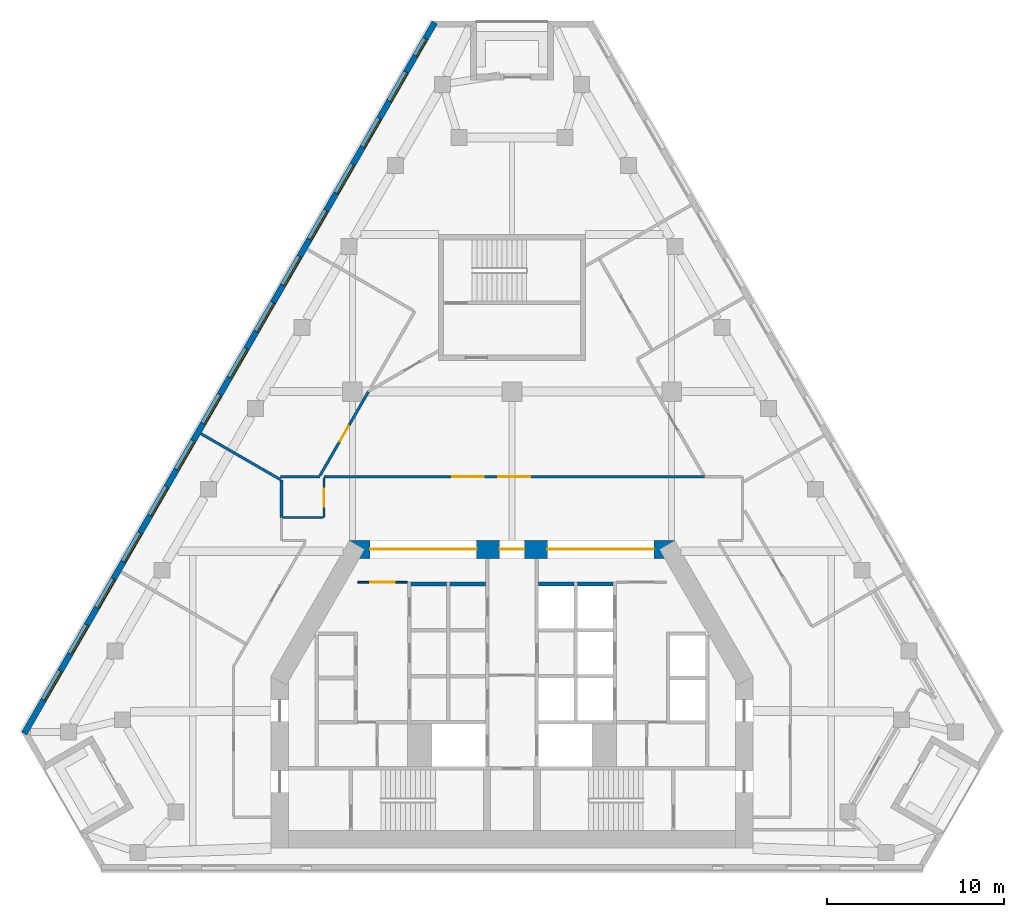
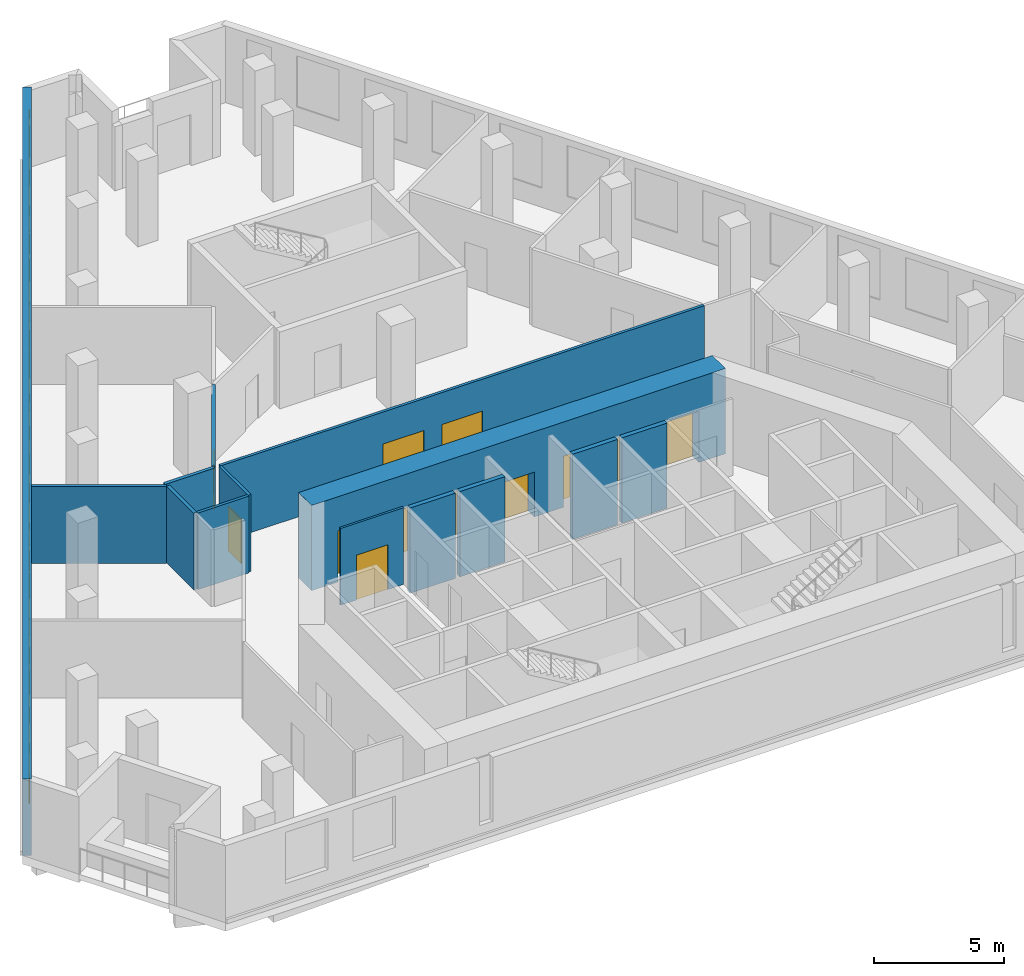
# One storey, part 5 of 9: 15 windows, 14 walls, 8 doors, 23 openings.
"""IFC4 building model written with IfcOpenShell, lengths in metres."""

from ifc_helpers import new_model, si_unit, direction, frame, frame_2d, origin, place, context, subcontext, project, spatial, rectangle, extrude, material, layer, layer_set, type_object, element, fill, save


model = new_model("IFC4")

# Units and contexts
model_context = context("Model", 3, precision=1e-05, world=origin(), true_north=direction((0.0, 1.0)))
body_context = subcontext(model_context, "Body", "Model", "MODEL_VIEW")
ifc_project = project(units=[si_unit("LENGTHUNIT", "METRE"), si_unit("AREAUNIT", "SQUARE_METRE"), si_unit("VOLUMEUNIT", "CUBIC_METRE"), si_unit("PLANEANGLEUNIT", "RADIAN"), si_unit("MASSUNIT", "GRAM", prefix="KILO")], contexts=[model_context])

# Site, building, storey
site_placement = place(None, origin())
site = spatial("IfcSite", under=ifc_project, at=site_placement, CompositionType="ELEMENT")
building_placement = place(site_placement, origin())
building = spatial("IfcBuilding", under=site, at=building_placement, Name="Fogline Exchange Tower", CompositionType="ELEMENT")
storey_placement = place(building_placement, frame((0.0, 0.0, 194.10009765625)))
storey = spatial("IfcBuildingStorey", under=building, at=storey_placement, Name="L43", CompositionType="ELEMENT", Elevation=194.10009765625)

# Wall, opening, door
ifc_material_1 = material(Name="Blockwork partition", Category="masonry")
ifc_layer_1 = layer(ifc_material_1, 0.10009765625)
ifc_layer_set_1 = layer_set([ifc_layer_1], Name="CW10")
wall_type_1 = type_object("IfcWallType", Name="CW10", PredefinedType="PARTITIONING", material=ifc_layer_set_1)
wall_1_placement = place(storey_placement, frame((-8.699951171875, 16.25, 0.0), z_axis=(0.0, 0.0, 1.0), x_axis=(1.0, 0.0, 0.0)))
wall_1 = element("IfcWall", 1, at=wall_1_placement, inside=storey, type_object=wall_type_1, Name="Lift lobby partition", PredefinedType="PARTITIONING", context=body_context, shape_type="SweptSolid", body=[
    extrude(rectangle(XDim=2.800048828125, YDim=0.10009765625, at=frame_2d((1.39990234375, 0.0))), origin(), (0.0, 0.0, 1.0), 3.599853515625),
])
opening_1_placement = place(wall_1_placement, frame((0.699951171875, 0.0, 0.0)))
opening_1 = element("IfcOpeningElement", 2, at=opening_1_placement, cuts=wall_1, Name="Opening T14-C011", PredefinedType="OPENING", context=body_context, shape_type="SweptSolid", body=[
    extrude(rectangle(XDim=1.39990234375, YDim=2.10009765625, at=frame_2d((0.699951171875, 1.050048828125))), frame((0.0, 0.06005859375, 0.0), z_axis=(0.0, -1.0, 0.0), x_axis=(1.0, 0.0, 0.0)), (0.0, 0.0, 1.0), 0.1201171875),
])
ifc_material_2 = material(Name="Steel and timber fire door", Category="steel")
door_type_1 = type_object("IfcDoorType", Name="D-LB1", OperationType="DOUBLE_DOOR_SINGLE_SWING", PredefinedType="DOOR", material=ifc_material_2)
door_1_placement = place(opening_1_placement, origin())
door_1 = element("IfcDoor", 3, at=door_1_placement, inside=storey, type_object=door_type_1, Name="Door to lift lobby", OperationType="DOUBLE_DOOR_SINGLE_SWING", OverallHeight=2.10009765625, OverallWidth=1.39990234375, PredefinedType="DOOR", context=body_context, shape_type="SweptSolid", body=[
    extrude(rectangle(XDim=1.39990234375, YDim=2.10009765625, at=frame_2d((0.699951171875, 1.050048828125))), frame((0.0, 0.02490234375, 0.0), z_axis=(0.0, -1.0, 0.0), x_axis=(1.0, 0.0, 0.0)), (0.0, 0.0, 1.0), 0.050048828125),
])
fill(opening_1, door_1)

# Walls
ifc_material_3 = material(Name="Concrete C40", Category="concrete")
ifc_layer_2 = layer(ifc_material_3, 0.199951171875)
ifc_layer_set_2 = layer_set([ifc_layer_2], Name="CW20S")
wall_type_2 = type_object("IfcWallType", Name="CW20S", PredefinedType="SOLIDWALL", material=ifc_layer_set_2)
for number, where, z_axis, x_axis, name in (
    (4, (-5.699951171875, 16.14990234375, -0.400146484375), (0.0, 0.0, 1.0), (1.0, 0.0, 0.0), "Lift shaft wall"),
    (5, (-3.5, 16.14990234375, -0.400146484375), (0.0, 0.0, 1.0), (1.0, 0.0, 0.0), "Lift shaft wall"),
    (6, (3.699951171875, 16.14990234375, -0.400146484375), (0.0, 0.0, 1.0), (1.0, 0.0, 0.0), "Lift shaft wall"),
    (7, (1.5, 16.14990234375, -0.400146484375), (0.0, 0.0, 1.0), (1.0, 0.0, 0.0), "Lift shaft wall"),
):
    element("IfcWall", number, at=place(storey_placement, frame(where, z_axis=z_axis, x_axis=x_axis)), inside=storey, type_object=wall_type_2, Name=name, PredefinedType="SOLIDWALL", context=body_context, shape_type="SweptSolid", body=[
        extrude(rectangle(XDim=2.0, YDim=0.199951171875, at=frame_2d((1.0, 0.0))), origin(), (0.0, 0.0, 1.0), 4.0),
    ])

# Wall, openings, windows
ifc_material_4 = material(Name="Brick masonry", Category="masonry")
ifc_layer_3 = layer(ifc_material_4, 0.340087890625)
ifc_layer_set_3 = layer_set([ifc_layer_3], Name="FW1")
wall_type_3 = type_object("IfcWallType", Name="FW1", PredefinedType="SOLIDWALL", material=ifc_layer_set_3)
wall_2_placement = place(storey_placement, frame((-4.352783203125, 47.821533203125, 0.0), z_axis=(0.0, 0.0, 1.0), x_axis=(-0.500001386688, -0.866024603178, 0.0)))
wall_2 = element("IfcWall", 8, at=wall_2_placement, inside=storey, type_object=wall_type_3, Name="Brick wall L43 W", PredefinedType="SOLIDWALL", context=body_context, shape_type="SweptSolid", body=[
    extrude(rectangle(XDim=46.317626953125, YDim=0.340087890625, at=frame_2d((23.15869140625, 0.0))), origin(), (0.0, 0.0, 1.0), 3.599853515625),
])
opening_2_placement = place(wall_2_placement, frame((3.23828125, 0.0, 0.89990234375)))
opening_2 = element("IfcOpeningElement", 9, at=opening_2_placement, cuts=wall_2, Name="Opening W1", PredefinedType="OPENING", context=body_context, shape_type="SweptSolid", body=[
    extrude(rectangle(XDim=1.885009765625, YDim=2.39990234375, at=frame_2d((0.9423828125, 1.199951171875))), frame((0.0, 0.18017578125, 0.0), z_axis=(0.0, -1.0, 0.0), x_axis=(1.0, 0.0, 0.0)), (0.0, 0.0, 1.0), 0.360107421875),
])
opening_3_placement = place(wall_2_placement, frame((6.23828125, 0.0, 0.89990234375)))
opening_3 = element("IfcOpeningElement", 10, at=opening_3_placement, cuts=wall_2, Name="Opening W1", PredefinedType="OPENING", context=body_context, shape_type="SweptSolid", body=[
    extrude(rectangle(XDim=1.885009765625, YDim=2.39990234375, at=frame_2d((0.9423828125, 1.199951171875))), frame((0.0, 0.18017578125, 0.0), z_axis=(0.0, -1.0, 0.0), x_axis=(1.0, 0.0, 0.0)), (0.0, 0.0, 1.0), 0.360107421875),
])
opening_4_placement = place(wall_2_placement, frame((9.23828125, 0.0, 0.89990234375)))
opening_4 = element("IfcOpeningElement", 11, at=opening_4_placement, cuts=wall_2, Name="Opening W1", PredefinedType="OPENING", context=body_context, shape_type="SweptSolid", body=[
    extrude(rectangle(XDim=1.885009765625, YDim=2.39990234375, at=frame_2d((0.9423828125, 1.199951171875))), frame((0.0, 0.18017578125, 0.0), z_axis=(0.0, -1.0, 0.0), x_axis=(1.0, 0.0, 0.0)), (0.0, 0.0, 1.0), 0.360107421875),
])
opening_5_placement = place(wall_2_placement, frame((12.23828125, 0.0, 0.89990234375)))
opening_5 = element("IfcOpeningElement", 12, at=opening_5_placement, cuts=wall_2, Name="Opening W1", PredefinedType="OPENING", context=body_context, shape_type="SweptSolid", body=[
    extrude(rectangle(XDim=1.885009765625, YDim=2.39990234375, at=frame_2d((0.9423828125, 1.199951171875))), frame((0.0, 0.18017578125, 0.0), z_axis=(0.0, -1.0, 0.0), x_axis=(1.0, 0.0, 0.0)), (0.0, 0.0, 1.0), 0.360107421875),
])
opening_6_placement = place(wall_2_placement, frame((15.23828125, 0.0, 0.89990234375)))
opening_6 = element("IfcOpeningElement", 13, at=opening_6_placement, cuts=wall_2, Name="Opening W1", PredefinedType="OPENING", context=body_context, shape_type="SweptSolid", body=[
    extrude(rectangle(XDim=1.885009765625, YDim=2.39990234375, at=frame_2d((0.9423828125, 1.199951171875))), frame((0.0, 0.18017578125, 0.0), z_axis=(0.0, -1.0, 0.0), x_axis=(1.0, 0.0, 0.0)), (0.0, 0.0, 1.0), 0.360107421875),
])
opening_7_placement = place(wall_2_placement, frame((18.23828125, 0.0, 0.89990234375)))
opening_7 = element("IfcOpeningElement", 14, at=opening_7_placement, cuts=wall_2, Name="Opening W1", PredefinedType="OPENING", context=body_context, shape_type="SweptSolid", body=[
    extrude(rectangle(XDim=1.885009765625, YDim=2.39990234375, at=frame_2d((0.9423828125, 1.199951171875))), frame((0.0, 0.18017578125, 0.0), z_axis=(0.0, -1.0, 0.0), x_axis=(1.0, 0.0, 0.0)), (0.0, 0.0, 1.0), 0.360107421875),
])
opening_8_placement = place(wall_2_placement, frame((21.23828125, 0.0, 0.89990234375)))
opening_8 = element("IfcOpeningElement", 15, at=opening_8_placement, cuts=wall_2, Name="Opening W1", PredefinedType="OPENING", context=body_context, shape_type="SweptSolid", body=[
    extrude(rectangle(XDim=1.885009765625, YDim=2.39990234375, at=frame_2d((0.9423828125, 1.199951171875))), frame((0.0, 0.18017578125, 0.0), z_axis=(0.0, -1.0, 0.0), x_axis=(1.0, 0.0, 0.0)), (0.0, 0.0, 1.0), 0.360107421875),
])
opening_9_placement = place(wall_2_placement, frame((24.23828125, 0.0, 0.89990234375)))
opening_9 = element("IfcOpeningElement", 16, at=opening_9_placement, cuts=wall_2, Name="Opening W1", PredefinedType="OPENING", context=body_context, shape_type="SweptSolid", body=[
    extrude(rectangle(XDim=1.885009765625, YDim=2.39990234375, at=frame_2d((0.9423828125, 1.199951171875))), frame((0.0, 0.18017578125, 0.0), z_axis=(0.0, -1.0, 0.0), x_axis=(1.0, 0.0, 0.0)), (0.0, 0.0, 1.0), 0.360107421875),
])
opening_10_placement = place(wall_2_placement, frame((27.23828125, 0.0, 0.89990234375)))
opening_10 = element("IfcOpeningElement", 17, at=opening_10_placement, cuts=wall_2, Name="Opening W1", PredefinedType="OPENING", context=body_context, shape_type="SweptSolid", body=[
    extrude(rectangle(XDim=1.885009765625, YDim=2.39990234375, at=frame_2d((0.9423828125, 1.199951171875))), frame((0.0, 0.18017578125, 0.0), z_axis=(0.0, -1.0, 0.0), x_axis=(1.0, 0.0, 0.0)), (0.0, 0.0, 1.0), 0.360107421875),
])
opening_11_placement = place(wall_2_placement, frame((30.23828125, 0.0, 0.89990234375)))
opening_11 = element("IfcOpeningElement", 18, at=opening_11_placement, cuts=wall_2, Name="Opening W1", PredefinedType="OPENING", context=body_context, shape_type="SweptSolid", body=[
    extrude(rectangle(XDim=1.885009765625, YDim=2.39990234375, at=frame_2d((0.9423828125, 1.199951171875))), frame((0.0, 0.18017578125, 0.0), z_axis=(0.0, -1.0, 0.0), x_axis=(1.0, 0.0, 0.0)), (0.0, 0.0, 1.0), 0.360107421875),
])
opening_12_placement = place(wall_2_placement, frame((33.23828125, 0.0, 0.89990234375)))
opening_12 = element("IfcOpeningElement", 19, at=opening_12_placement, cuts=wall_2, Name="Opening W1", PredefinedType="OPENING", context=body_context, shape_type="SweptSolid", body=[
    extrude(rectangle(XDim=1.885009765625, YDim=2.39990234375, at=frame_2d((0.9423828125, 1.199951171875))), frame((0.0, 0.18017578125, 0.0), z_axis=(0.0, -1.0, 0.0), x_axis=(1.0, 0.0, 0.0)), (0.0, 0.0, 1.0), 0.360107421875),
])
opening_13_placement = place(wall_2_placement, frame((36.23828125, 0.0, 0.89990234375)))
opening_13 = element("IfcOpeningElement", 20, at=opening_13_placement, cuts=wall_2, Name="Opening W1", PredefinedType="OPENING", context=body_context, shape_type="SweptSolid", body=[
    extrude(rectangle(XDim=1.885009765625, YDim=2.39990234375, at=frame_2d((0.9423828125, 1.199951171875))), frame((0.0, 0.18017578125, 0.0), z_axis=(0.0, -1.0, 0.0), x_axis=(1.0, 0.0, 0.0)), (0.0, 0.0, 1.0), 0.360107421875),
])
opening_14_placement = place(wall_2_placement, frame((39.23828125, 0.0, 0.89990234375)))
opening_14 = element("IfcOpeningElement", 21, at=opening_14_placement, cuts=wall_2, Name="Opening W1", PredefinedType="OPENING", context=body_context, shape_type="SweptSolid", body=[
    extrude(rectangle(XDim=1.885009765625, YDim=2.39990234375, at=frame_2d((0.9423828125, 1.199951171875))), frame((0.0, 0.18017578125, 0.0), z_axis=(0.0, -1.0, 0.0), x_axis=(1.0, 0.0, 0.0)), (0.0, 0.0, 1.0), 0.360107421875),
])
opening_15_placement = place(wall_2_placement, frame((42.23828125, 0.0, 0.89990234375)))
opening_15 = element("IfcOpeningElement", 22, at=opening_15_placement, cuts=wall_2, Name="Opening W1", PredefinedType="OPENING", context=body_context, shape_type="SweptSolid", body=[
    extrude(rectangle(XDim=1.885009765625, YDim=2.39990234375, at=frame_2d((0.9423828125, 1.199951171875))), frame((0.0, 0.18017578125, 0.0), z_axis=(0.0, -1.0, 0.0), x_axis=(1.0, 0.0, 0.0)), (0.0, 0.0, 1.0), 0.360107421875),
])
opening_16_placement = place(wall_2_placement, frame((1.061767578125, 0.0, 0.89990234375)))
opening_16 = element("IfcOpeningElement", 23, at=opening_16_placement, cuts=wall_2, Name="Opening W4", PredefinedType="OPENING", context=body_context, shape_type="SweptSolid", body=[
    extrude(rectangle(XDim=1.114990234375, YDim=2.39990234375, at=frame_2d((0.5576171875, 1.199951171875))), frame((0.0, 0.18017578125, 0.0), z_axis=(0.0, -1.0, 0.0), x_axis=(1.0, 0.0, 0.0)), (0.0, 0.0, 1.0), 0.360107421875),
])
ifc_material_5 = material(Name="Aluminium and glass", Category="aluminium")
window_type_1 = type_object("IfcWindowType", Name="W1", PartitioningType="SINGLE_PANEL", PredefinedType="WINDOW", material=ifc_material_5)
window_1_placement = place(opening_2_placement, origin())
window_1 = element("IfcWindow", 24, at=window_1_placement, inside=storey, type_object=window_type_1, Name="W1 W1", OverallHeight=2.39990234375, OverallWidth=1.885009765625, PartitioningType="SINGLE_PANEL", PredefinedType="WINDOW", context=body_context, shape_type="SweptSolid", body=[
    extrude(rectangle(XDim=1.885009765625, YDim=2.39990234375, at=frame_2d((0.9423828125, 1.199951171875))), frame((0.0, 0.110107421875, 0.0), z_axis=(0.0, -1.0, 0.0), x_axis=(1.0, 0.0, 0.0)), (0.0, 0.0, 1.0), 0.06005859375),
])
fill(opening_2, window_1)
window_2_placement = place(opening_3_placement, origin())
window_2 = element("IfcWindow", 25, at=window_2_placement, inside=storey, type_object=window_type_1, Name="W1 W1", OverallHeight=2.39990234375, OverallWidth=1.885009765625, PartitioningType="SINGLE_PANEL", PredefinedType="WINDOW", context=body_context, shape_type="SweptSolid", body=[
    extrude(rectangle(XDim=1.885009765625, YDim=2.39990234375, at=frame_2d((0.9423828125, 1.199951171875))), frame((0.0, 0.110107421875, 0.0), z_axis=(0.0, -1.0, 0.0), x_axis=(1.0, 0.0, 0.0)), (0.0, 0.0, 1.0), 0.06005859375),
])
fill(opening_3, window_2)
window_3_placement = place(opening_4_placement, origin())
window_3 = element("IfcWindow", 26, at=window_3_placement, inside=storey, type_object=window_type_1, Name="W1 W1", OverallHeight=2.39990234375, OverallWidth=1.885009765625, PartitioningType="SINGLE_PANEL", PredefinedType="WINDOW", context=body_context, shape_type="SweptSolid", body=[
    extrude(rectangle(XDim=1.885009765625, YDim=2.39990234375, at=frame_2d((0.9423828125, 1.199951171875))), frame((0.0, 0.110107421875, 0.0), z_axis=(0.0, -1.0, 0.0), x_axis=(1.0, 0.0, 0.0)), (0.0, 0.0, 1.0), 0.06005859375),
])
fill(opening_4, window_3)
window_4_placement = place(opening_5_placement, origin())
window_4 = element("IfcWindow", 27, at=window_4_placement, inside=storey, type_object=window_type_1, Name="W1 W1", OverallHeight=2.39990234375, OverallWidth=1.885009765625, PartitioningType="SINGLE_PANEL", PredefinedType="WINDOW", context=body_context, shape_type="SweptSolid", body=[
    extrude(rectangle(XDim=1.885009765625, YDim=2.39990234375, at=frame_2d((0.9423828125, 1.199951171875))), frame((0.0, 0.110107421875, 0.0), z_axis=(0.0, -1.0, 0.0), x_axis=(1.0, 0.0, 0.0)), (0.0, 0.0, 1.0), 0.06005859375),
])
fill(opening_5, window_4)
window_5_placement = place(opening_6_placement, origin())
window_5 = element("IfcWindow", 28, at=window_5_placement, inside=storey, type_object=window_type_1, Name="W1 W1", OverallHeight=2.39990234375, OverallWidth=1.885009765625, PartitioningType="SINGLE_PANEL", PredefinedType="WINDOW", context=body_context, shape_type="SweptSolid", body=[
    extrude(rectangle(XDim=1.885009765625, YDim=2.39990234375, at=frame_2d((0.9423828125, 1.199951171875))), frame((0.0, 0.110107421875, 0.0), z_axis=(0.0, -1.0, 0.0), x_axis=(1.0, 0.0, 0.0)), (0.0, 0.0, 1.0), 0.06005859375),
])
fill(opening_6, window_5)
window_6_placement = place(opening_7_placement, origin())
window_6 = element("IfcWindow", 29, at=window_6_placement, inside=storey, type_object=window_type_1, Name="W1 W1", OverallHeight=2.39990234375, OverallWidth=1.885009765625, PartitioningType="SINGLE_PANEL", PredefinedType="WINDOW", context=body_context, shape_type="SweptSolid", body=[
    extrude(rectangle(XDim=1.885009765625, YDim=2.39990234375, at=frame_2d((0.9423828125, 1.199951171875))), frame((0.0, 0.110107421875, 0.0), z_axis=(0.0, -1.0, 0.0), x_axis=(1.0, 0.0, 0.0)), (0.0, 0.0, 1.0), 0.06005859375),
])
fill(opening_7, window_6)
window_7_placement = place(opening_8_placement, origin())
window_7 = element("IfcWindow", 30, at=window_7_placement, inside=storey, type_object=window_type_1, Name="W1 W1", OverallHeight=2.39990234375, OverallWidth=1.885009765625, PartitioningType="SINGLE_PANEL", PredefinedType="WINDOW", context=body_context, shape_type="SweptSolid", body=[
    extrude(rectangle(XDim=1.885009765625, YDim=2.39990234375, at=frame_2d((0.9423828125, 1.199951171875))), frame((0.0, 0.110107421875, 0.0), z_axis=(0.0, -1.0, 0.0), x_axis=(1.0, 0.0, 0.0)), (0.0, 0.0, 1.0), 0.06005859375),
])
fill(opening_8, window_7)
window_8_placement = place(opening_9_placement, origin())
window_8 = element("IfcWindow", 31, at=window_8_placement, inside=storey, type_object=window_type_1, Name="W1 W1", OverallHeight=2.39990234375, OverallWidth=1.885009765625, PartitioningType="SINGLE_PANEL", PredefinedType="WINDOW", context=body_context, shape_type="SweptSolid", body=[
    extrude(rectangle(XDim=1.885009765625, YDim=2.39990234375, at=frame_2d((0.9423828125, 1.199951171875))), frame((0.0, 0.110107421875, 0.0), z_axis=(0.0, -1.0, 0.0), x_axis=(1.0, 0.0, 0.0)), (0.0, 0.0, 1.0), 0.06005859375),
])
fill(opening_9, window_8)
window_9_placement = place(opening_10_placement, origin())
window_9 = element("IfcWindow", 32, at=window_9_placement, inside=storey, type_object=window_type_1, Name="W1 W1", OverallHeight=2.39990234375, OverallWidth=1.885009765625, PartitioningType="SINGLE_PANEL", PredefinedType="WINDOW", context=body_context, shape_type="SweptSolid", body=[
    extrude(rectangle(XDim=1.885009765625, YDim=2.39990234375, at=frame_2d((0.9423828125, 1.199951171875))), frame((0.0, 0.110107421875, 0.0), z_axis=(0.0, -1.0, 0.0), x_axis=(1.0, 0.0, 0.0)), (0.0, 0.0, 1.0), 0.06005859375),
])
fill(opening_10, window_9)
window_10_placement = place(opening_11_placement, origin())
window_10 = element("IfcWindow", 33, at=window_10_placement, inside=storey, type_object=window_type_1, Name="W1 W1", OverallHeight=2.39990234375, OverallWidth=1.885009765625, PartitioningType="SINGLE_PANEL", PredefinedType="WINDOW", context=body_context, shape_type="SweptSolid", body=[
    extrude(rectangle(XDim=1.885009765625, YDim=2.39990234375, at=frame_2d((0.9423828125, 1.199951171875))), frame((0.0, 0.110107421875, 0.0), z_axis=(0.0, -1.0, 0.0), x_axis=(1.0, 0.0, 0.0)), (0.0, 0.0, 1.0), 0.06005859375),
])
fill(opening_11, window_10)
window_11_placement = place(opening_12_placement, origin())
window_11 = element("IfcWindow", 34, at=window_11_placement, inside=storey, type_object=window_type_1, Name="W1 W1", OverallHeight=2.39990234375, OverallWidth=1.885009765625, PartitioningType="SINGLE_PANEL", PredefinedType="WINDOW", context=body_context, shape_type="SweptSolid", body=[
    extrude(rectangle(XDim=1.885009765625, YDim=2.39990234375, at=frame_2d((0.9423828125, 1.199951171875))), frame((0.0, 0.110107421875, 0.0), z_axis=(0.0, -1.0, 0.0), x_axis=(1.0, 0.0, 0.0)), (0.0, 0.0, 1.0), 0.06005859375),
])
fill(opening_12, window_11)
window_12_placement = place(opening_13_placement, origin())
window_12 = element("IfcWindow", 35, at=window_12_placement, inside=storey, type_object=window_type_1, Name="W1 W1", OverallHeight=2.39990234375, OverallWidth=1.885009765625, PartitioningType="SINGLE_PANEL", PredefinedType="WINDOW", context=body_context, shape_type="SweptSolid", body=[
    extrude(rectangle(XDim=1.885009765625, YDim=2.39990234375, at=frame_2d((0.9423828125, 1.199951171875))), frame((0.0, 0.110107421875, 0.0), z_axis=(0.0, -1.0, 0.0), x_axis=(1.0, 0.0, 0.0)), (0.0, 0.0, 1.0), 0.06005859375),
])
fill(opening_13, window_12)
window_13_placement = place(opening_14_placement, origin())
window_13 = element("IfcWindow", 36, at=window_13_placement, inside=storey, type_object=window_type_1, Name="W1 W1", OverallHeight=2.39990234375, OverallWidth=1.885009765625, PartitioningType="SINGLE_PANEL", PredefinedType="WINDOW", context=body_context, shape_type="SweptSolid", body=[
    extrude(rectangle(XDim=1.885009765625, YDim=2.39990234375, at=frame_2d((0.9423828125, 1.199951171875))), frame((0.0, 0.110107421875, 0.0), z_axis=(0.0, -1.0, 0.0), x_axis=(1.0, 0.0, 0.0)), (0.0, 0.0, 1.0), 0.06005859375),
])
fill(opening_14, window_13)
window_14_placement = place(opening_15_placement, origin())
window_14 = element("IfcWindow", 37, at=window_14_placement, inside=storey, type_object=window_type_1, Name="W1 W1", OverallHeight=2.39990234375, OverallWidth=1.885009765625, PartitioningType="SINGLE_PANEL", PredefinedType="WINDOW", context=body_context, shape_type="SweptSolid", body=[
    extrude(rectangle(XDim=1.885009765625, YDim=2.39990234375, at=frame_2d((0.9423828125, 1.199951171875))), frame((0.0, 0.110107421875, 0.0), z_axis=(0.0, -1.0, 0.0), x_axis=(1.0, 0.0, 0.0)), (0.0, 0.0, 1.0), 0.06005859375),
])
fill(opening_15, window_14)
window_type_2 = type_object("IfcWindowType", Name="W4", PartitioningType="SINGLE_PANEL", PredefinedType="WINDOW", material=ifc_material_5)
window_15_placement = place(opening_16_placement, origin())
window_15 = element("IfcWindow", 38, at=window_15_placement, inside=storey, type_object=window_type_2, Name="W4 W4", OverallHeight=2.39990234375, OverallWidth=1.114990234375, PartitioningType="SINGLE_PANEL", PredefinedType="WINDOW", context=body_context, shape_type="SweptSolid", body=[
    extrude(rectangle(XDim=1.114990234375, YDim=2.39990234375, at=frame_2d((0.5576171875, 1.199951171875))), frame((0.0, 0.110107421875, 0.0), z_axis=(0.0, -1.0, 0.0), x_axis=(1.0, 0.0, 0.0)), (0.0, 0.0, 1.0), 0.06005859375),
])
fill(opening_16, window_15)

# Wall, openings, doors
ifc_material_6 = material(Name="Plasterboard corridor partition with mineral wool, 2 layers each side")
ifc_layer_4 = layer(ifc_material_6, 0.125)
ifc_layer_set_4 = layer_set([ifc_layer_4], Name="PW2")
wall_type_4 = type_object("IfcWallType", Name="PW2", PredefinedType="PARTITIONING", material=ifc_layer_set_4)
wall_3_placement = place(storey_placement, frame((-10.60009765625, 22.199951171875, 0.0), z_axis=(0.0, 0.0, 1.0), x_axis=(1.0, 0.0, 0.0)))
wall_3 = element("IfcWall", 39, at=wall_3_placement, inside=storey, type_object=wall_type_4, Name="wall-L43-W007", PredefinedType="PARTITIONING", context=body_context, shape_type="SweptSolid", body=[
    extrude(rectangle(XDim=21.46630859375, YDim=0.125, at=frame_2d((10.733154296875, 0.0))), origin(), (0.0, 0.0, 1.0), 3.599853515625),
])
opening_17_placement = place(wall_3_placement, frame((7.219482421875, 0.0, 0.0)))
opening_17 = element("IfcOpeningElement", 40, at=opening_17_placement, cuts=wall_3, Name="Opening T14-D002", PredefinedType="OPENING", context=body_context, shape_type="SweptSolid", body=[
    extrude(rectangle(XDim=1.800048828125, YDim=2.10009765625, at=frame_2d((0.89990234375, 1.050048828125))), frame((0.0, 0.072509765625, 0.0), z_axis=(0.0, -1.0, 0.0), x_axis=(1.0, 0.0, 0.0)), (0.0, 0.0, 1.0), 0.14501953125),
])
opening_18_placement = place(wall_3_placement, frame((9.8330078125, 0.0, 0.0)))
opening_18 = element("IfcOpeningElement", 41, at=opening_18_placement, cuts=wall_3, Name="Opening T14-D003", PredefinedType="OPENING", context=body_context, shape_type="SweptSolid", body=[
    extrude(rectangle(XDim=1.800048828125, YDim=2.10009765625, at=frame_2d((0.89990234375, 1.050048828125))), frame((0.0, 0.072509765625, 0.0), z_axis=(0.0, -1.0, 0.0), x_axis=(1.0, 0.0, 0.0)), (0.0, 0.0, 1.0), 0.14501953125),
])
ifc_material_7 = material(Name="Fire-rated timber door leaves with steel frame", Category="steel")
door_type_2 = type_object("IfcDoorType", Name="D4", OperationType="DOUBLE_DOOR_SINGLE_SWING", PredefinedType="DOOR", material=ifc_material_7)
door_2_placement = place(opening_17_placement, frame((1.800048828125, 0.0, 0.0), z_axis=(0.0, 0.0, 1.0), x_axis=(-1.0, 0.0, 0.0)))
door_2 = element("IfcDoor", 42, at=door_2_placement, inside=storey, type_object=door_type_2, Name="door-L43-D002", OperationType="DOUBLE_DOOR_SINGLE_SWING", OverallHeight=2.10009765625, OverallWidth=1.800048828125, PredefinedType="DOOR", context=body_context, shape_type="SweptSolid", body=[
    extrude(rectangle(XDim=1.800048828125, YDim=2.10009765625, at=frame_2d((0.89990234375, 1.050048828125))), frame((0.0, 0.02490234375, 0.0), z_axis=(0.0, -1.0, 0.0), x_axis=(1.0, 0.0, 0.0)), (0.0, 0.0, 1.0), 0.050048828125),
])
fill(opening_17, door_2)
door_3_placement = place(opening_18_placement, frame((1.800048828125, 0.0, 0.0), z_axis=(0.0, 0.0, 1.0), x_axis=(-1.0, 0.0, 0.0)))
door_3 = element("IfcDoor", 43, at=door_3_placement, inside=storey, type_object=door_type_2, Name="door-L43-D003", OperationType="DOUBLE_DOOR_SINGLE_SWING", OverallHeight=2.10009765625, OverallWidth=1.800048828125, PredefinedType="DOOR", context=body_context, shape_type="SweptSolid", body=[
    extrude(rectangle(XDim=1.800048828125, YDim=2.10009765625, at=frame_2d((0.89990234375, 1.050048828125))), frame((0.0, 0.02490234375, 0.0), z_axis=(0.0, -1.0, 0.0), x_axis=(1.0, 0.0, 0.0)), (0.0, 0.0, 1.0), 0.050048828125),
])
fill(opening_18, door_3)

# Wall
wall_4_placement = place(storey_placement, frame((-12.925048828125, 19.89990234375, 0.0), z_axis=(0.0, 0.0, 1.0), x_axis=(1.0, 0.0, 0.0)))
element("IfcWall", 44, at=wall_4_placement, inside=storey, type_object=wall_type_4, Name="wall-L43-W008", PredefinedType="PARTITIONING", context=body_context, shape_type="SweptSolid", body=[
    extrude(rectangle(XDim=2.262451171875, YDim=0.125, at=frame_2d((1.13134765625, 0.0))), origin(), (0.0, 0.0, 1.0), 3.599853515625),
])

# Wall, opening, door
wall_5_placement = place(storey_placement, frame((-10.60009765625, 19.89990234375, 0.0), z_axis=(0.0, 0.0, 1.0), x_axis=(0.0, 1.0, 0.0)))
wall_5 = element("IfcWall", 45, at=wall_5_placement, inside=storey, type_object=wall_type_4, Name="wall-L43-W009", PredefinedType="PARTITIONING", context=body_context, shape_type="SweptSolid", body=[
    extrude(rectangle(XDim=2.237060546875, YDim=0.125, at=frame_2d((1.11865234375, 0.0))), origin(), (0.0, 0.0, 1.0), 3.599853515625),
])
opening_19_placement = place(wall_5_placement, frame((0.618408203125, 0.0, 0.0)))
opening_19 = element("IfcOpeningElement", 46, at=opening_19_placement, cuts=wall_5, Name="Opening T14-D004", PredefinedType="OPENING", context=body_context, shape_type="SweptSolid", body=[
    extrude(rectangle(XDim=1.0, YDim=2.10009765625, at=frame_2d((0.5, 1.050048828125))), frame((0.0, 0.072509765625, 0.0), z_axis=(0.0, -1.0, 0.0), x_axis=(1.0, 0.0, 0.0)), (0.0, 0.0, 1.0), 0.14501953125),
])
ifc_material_8 = material(Name="Fire-rated timber door leaf with steel frame", Category="steel")
door_type_3 = type_object("IfcDoorType", Name="D3", OperationType="SINGLE_SWING_LEFT", PredefinedType="DOOR", material=ifc_material_8)
door_4_placement = place(opening_19_placement, origin())
door_4 = element("IfcDoor", 47, at=door_4_placement, inside=storey, type_object=door_type_3, Name="door-L43-D004", OperationType="SINGLE_SWING_LEFT", OverallHeight=2.10009765625, OverallWidth=1.0, PredefinedType="DOOR", context=body_context, shape_type="SweptSolid", body=[
    extrude(rectangle(XDim=1.0, YDim=2.10009765625, at=frame_2d((0.5, 1.050048828125))), frame((0.0, 0.02490234375, 0.0), z_axis=(0.0, -1.0, 0.0), x_axis=(1.0, 0.0, 0.0)), (0.0, 0.0, 1.0), 0.050048828125),
])
fill(opening_19, door_4)

ifc_material_9 = material(Name="Plasterboard demising partition with mineral wool and acoustic board")
ifc_layer_5 = layer(ifc_material_9, 0.14990234375)
ifc_layer_set_5 = layer_set([ifc_layer_5], Name="PW3")
wall_type_5 = type_object("IfcWallType", Name="PW3", PredefinedType="PARTITIONING", material=ifc_layer_set_5)
wall_6_placement = place(storey_placement, frame((-10.822998046875, 22.27490234375, 0.0), z_axis=(0.0, 0.0, 1.0), x_axis=(0.500003308737, 0.866023493476, 0.0)))
wall_6 = element("IfcWall", 48, at=wall_6_placement, inside=storey, type_object=wall_type_5, Name="wall-L43-W029", PredefinedType="PARTITIONING", context=body_context, shape_type="SweptSolid", body=[
    extrude(rectangle(XDim=5.44287109375, YDim=0.14990234375, at=frame_2d((2.721435546875, 0.0))), origin(), (0.0, 0.0, 1.0), 3.599853515625),
])
opening_20_placement = place(wall_6_placement, frame((2.22119140625, 0.0, 0.0)))
opening_20 = element("IfcOpeningElement", 49, at=opening_20_placement, cuts=wall_6, Name="Opening T14-D011", PredefinedType="OPENING", context=body_context, shape_type="SweptSolid", body=[
    extrude(rectangle(XDim=1.0, YDim=2.10009765625, at=frame_2d((0.5, 1.050048828125))), frame((0.0, 0.0849609375, 0.0), z_axis=(0.0, -1.0, 0.0), x_axis=(1.0, 0.0, 0.0)), (0.0, 0.0, 1.0), 0.169921875),
])
door_5_placement = place(opening_20_placement, origin())
door_5 = element("IfcDoor", 50, at=door_5_placement, inside=storey, type_object=door_type_3, Name="door-L43-D011", OperationType="SINGLE_SWING_LEFT", OverallHeight=2.10009765625, OverallWidth=1.0, PredefinedType="DOOR", context=body_context, shape_type="SweptSolid", body=[
    extrude(rectangle(XDim=1.0, YDim=2.10009765625, at=frame_2d((0.5, 1.050048828125))), frame((0.0, 0.02490234375, 0.0), z_axis=(0.0, -1.0, 0.0), x_axis=(1.0, 0.0, 0.0)), (0.0, 0.0, 1.0), 0.050048828125),
])
fill(opening_20, door_5)

# Walls
wall_7_placement = place(storey_placement, frame((-10.822265625, 22.199951171875, 0.0), z_axis=(0.0, 0.0, 1.0), x_axis=(-1.0, 0.0, 0.0)))
element("IfcWall", 51, at=wall_7_placement, inside=storey, type_object=wall_type_5, Name="wall-L43-W032", PredefinedType="PARTITIONING", context=body_context, shape_type="SweptSolid", body=[
    extrude(rectangle(XDim=2.234375, YDim=0.14990234375, at=frame_2d((1.1171875, 0.0))), origin(), (0.0, 0.0, 1.0), 3.599853515625),
])
wall_8_placement = place(storey_placement, frame((-13.055908203125, 22.0380859375, 0.0), z_axis=(0.0, 0.0, 1.0), x_axis=(-0.866026398849, 0.499998276493, 0.0)))
element("IfcWall", 52, at=wall_8_placement, inside=storey, type_object=wall_type_5, Name="wall-L43-W033", PredefinedType="PARTITIONING", context=body_context, shape_type="SweptSolid", body=[
    extrude(rectangle(XDim=5.1845703125, YDim=0.14990234375, at=frame_2d((2.59228515625, 0.0))), origin(), (0.0, 0.0, 1.0), 3.599853515625),
])
wall_9_placement = place(storey_placement, frame((-13.0, 19.89990234375, 0.0), z_axis=(0.0, 0.0, 1.0), x_axis=(0.0, 1.0, 0.0)))
element("IfcWall", 53, at=wall_9_placement, inside=storey, type_object=wall_type_5, Name="wall-L43-W034", PredefinedType="PARTITIONING", context=body_context, shape_type="SweptSolid", body=[
    extrude(rectangle(XDim=2.105712890625, YDim=0.14990234375, at=frame_2d((1.052734375, 0.0))), origin(), (0.0, 0.0, 1.0), 3.599853515625),
])

# Wall, openings, doors
ifc_material_10 = material(Name="Concrete C60", Category="concrete")
ifc_layer_6 = layer(ifc_material_10, 1.0)
ifc_layer_set_6 = layer_set([ifc_layer_6], Name="SW03")
wall_type_6 = type_object("IfcWallType", Name="SW03", PredefinedType="SHEAR", material=ifc_layer_set_6)
wall_10_placement = place(storey_placement, frame((9.1806640625, 18.10009765625, 0.0), z_axis=(0.0, 0.0, 1.0), x_axis=(-1.0, 0.0, 0.0)))
wall_10 = element("IfcWall", 54, at=wall_10_placement, inside=storey, type_object=wall_type_6, Name="L43-W904", PredefinedType="SHEAR", context=body_context, shape_type="SweptSolid", body=[
    extrude(rectangle(XDim=18.361328125, YDim=1.0, at=frame_2d((9.1806640625, 0.0))), origin(), (0.0, 0.0, 1.0), 4.0),
])
opening_21_placement = place(wall_10_placement, frame((8.480712890625, 0.0, 0.0)))
opening_21 = element("IfcOpeningElement", 55, at=opening_21_placement, cuts=wall_10, Name="Opening T14-C024", PredefinedType="OPENING", context=body_context, shape_type="SweptSolid", body=[
    extrude(rectangle(XDim=1.39990234375, YDim=2.10009765625, at=frame_2d((0.699951171875, 1.050048828125))), frame((0.0, 0.510009765625, 0.0), z_axis=(0.0, -1.0, 0.0), x_axis=(1.0, 0.0, 0.0)), (0.0, 0.0, 1.0), 1.02001953125),
])
opening_22_placement = place(wall_10_placement, frame((11.1806640625, 0.0, 0.0)))
opening_22 = element("IfcOpeningElement", 56, at=opening_22_placement, cuts=wall_10, Name="Opening T14-C025", PredefinedType="OPENING", context=body_context, shape_type="SweptSolid", body=[
    extrude(rectangle(XDim=6.0, YDim=2.39990234375, at=frame_2d((3.0, 1.199951171875))), frame((0.0, 0.510009765625, 0.0), z_axis=(0.0, -1.0, 0.0), x_axis=(1.0, 0.0, 0.0)), (0.0, 0.0, 1.0), 1.02001953125),
])
opening_23_placement = place(wall_10_placement, frame((1.1806640625, 0.0, 0.0)))
opening_23 = element("IfcOpeningElement", 57, at=opening_23_placement, cuts=wall_10, Name="Opening T14-C026", PredefinedType="OPENING", context=body_context, shape_type="SweptSolid", body=[
    extrude(rectangle(XDim=6.0, YDim=2.39990234375, at=frame_2d((3.0, 1.199951171875))), frame((0.0, 0.510009765625, 0.0), z_axis=(0.0, -1.0, 0.0), x_axis=(1.0, 0.0, 0.0)), (0.0, 0.0, 1.0), 1.02001953125),
])
door_6_placement = place(opening_21_placement, origin())
door_6 = element("IfcDoor", 58, at=door_6_placement, inside=storey, type_object=door_type_1, Name="Protected lobby door", OperationType="DOUBLE_DOOR_SINGLE_SWING", OverallHeight=2.10009765625, OverallWidth=1.39990234375, PredefinedType="DOOR", context=body_context, shape_type="SweptSolid", body=[
    extrude(rectangle(XDim=1.39990234375, YDim=2.10009765625, at=frame_2d((0.699951171875, 1.050048828125))), frame((0.0, 0.02490234375, 0.0), z_axis=(0.0, -1.0, 0.0), x_axis=(1.0, 0.0, 0.0)), (0.0, 0.0, 1.0), 0.050048828125),
])
fill(opening_21, door_6)
door_type_4 = type_object("IfcDoorType", Name="D-LE1", OperationType="DOUBLE_DOOR_SLIDING", PredefinedType="DOOR", material=ifc_material_2)
door_7_placement = place(opening_22_placement, origin())
door_7 = element("IfcDoor", 59, at=door_7_placement, inside=storey, type_object=door_type_4, Name="Lift lobby entrance west", OperationType="DOUBLE_DOOR_SLIDING", OverallHeight=2.39990234375, OverallWidth=6.0, PredefinedType="DOOR", context=body_context, shape_type="SweptSolid", body=[
    extrude(rectangle(XDim=6.0, YDim=2.39990234375, at=frame_2d((3.0, 1.199951171875))), frame((0.0, 0.02490234375, 0.0), z_axis=(0.0, -1.0, 0.0), x_axis=(1.0, 0.0, 0.0)), (0.0, 0.0, 1.0), 0.050048828125),
])
fill(opening_22, door_7)
door_8_placement = place(opening_23_placement, origin())
door_8 = element("IfcDoor", 60, at=door_8_placement, inside=storey, type_object=door_type_4, Name="Lift lobby entrance east", OperationType="DOUBLE_DOOR_SLIDING", OverallHeight=2.39990234375, OverallWidth=6.0, PredefinedType="DOOR", context=body_context, shape_type="SweptSolid", body=[
    extrude(rectangle(XDim=6.0, YDim=2.39990234375, at=frame_2d((3.0, 1.199951171875))), frame((0.0, 0.02490234375, 0.0), z_axis=(0.0, -1.0, 0.0), x_axis=(1.0, 0.0, 0.0)), (0.0, 0.0, 1.0), 0.050048828125),
])
fill(opening_23, door_8)

save(model, "model.ifc")
